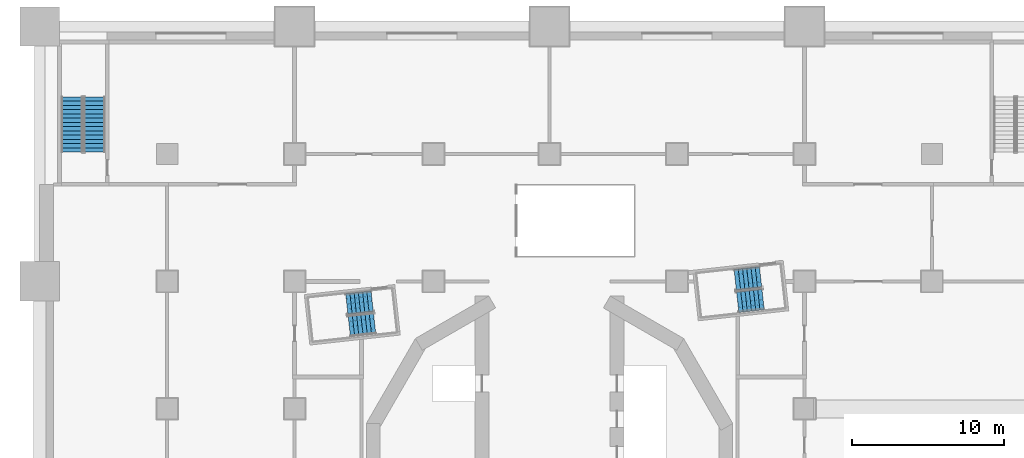
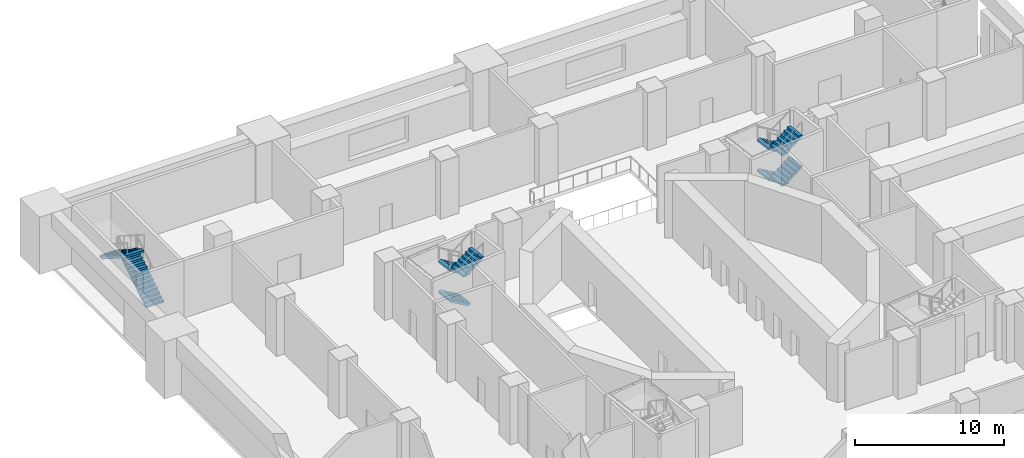
# One storey, part 7 of 17: 9 stair flights, 3 elements without a shape of their own.
"""IFC4 building model written with IfcOpenShell, lengths in metres."""

from ifc_helpers import new_model, si_unit, direction, frame, origin, place, context, subcontext, project, spatial, polyline, outline, extrude, material, type_object, element, aggregate, save


model = new_model("IFC4")

# Units and contexts
model_context = context("Model", 3, precision=1e-05, world=origin(), true_north=direction((0.0, 1.0)))
body_context = subcontext(model_context, "Body", "Model", "MODEL_VIEW")
ifc_project = project(units=[si_unit("LENGTHUNIT", "METRE"), si_unit("AREAUNIT", "SQUARE_METRE"), si_unit("VOLUMEUNIT", "CUBIC_METRE"), si_unit("PLANEANGLEUNIT", "RADIAN"), si_unit("MASSUNIT", "GRAM", prefix="KILO")], contexts=[model_context])

# Site, building, storey
site_placement = place(None, origin())
site = spatial("IfcSite", under=ifc_project, at=site_placement, CompositionType="ELEMENT")
building_placement = place(site_placement, origin())
building = spatial("IfcBuilding", under=site, at=building_placement, Name="Cantera Rosa Tower", CompositionType="ELEMENT")
storey_placement = place(building_placement, frame((0.0, 0.0, 22.0)))
storey = spatial("IfcBuildingStorey", under=building, at=storey_placement, Name="L03", CompositionType="ELEMENT", Elevation=22.0)

# Stair, stair flights
ifc_material_1 = material(Name="Concrete C35/45", Category="concrete")
stair_type_1 = type_object("IfcStairType", Name="EXIT STAIR 1350 DOGLEG", PredefinedType="HALF_TURN_STAIR", material=ifc_material_1)
stair_1_placement = place(storey_placement, origin())
stair_1 = element("IfcStair", 1, at=stair_1_placement, inside=storey, type_object=stair_type_1, Name="L03 ST-11", PredefinedType="HALF_TURN_STAIR")
ifc_material_2 = material(Name="Concrete C35/45", Category="concrete")
stair_flight_type_1 = type_object("IfcStairFlightType", Name="STAIR FLIGHT 1350 R28x179", PredefinedType="STRAIGHT", material=ifc_material_2)
stair_flight_1_placement = place(storey_placement, frame((13.90869140625, 12.89990234375, 0.0), z_axis=(0.0, 0.0, 1.0), x_axis=(-0.993896947056, -0.110312549749, 0.0)))
stair_flight_1 = element("IfcStairFlight", 2, at=stair_flight_1_placement, type_object=stair_flight_type_1, Name="ST-11 flight 1", NumberOfRisers=7, NumberOfTreads=6, PredefinedType="STRAIGHT", RiserHeight=0.178571429, TreadLength=0.28, context=body_context, shape_type="SweptSolid", body=[
    extrude(outline(polyline([(0.0, 0.0), (0.0, 0.178466796875), (0.280029296875, 0.178466796875), (0.280029296875, 0.357177734375), (0.56005859375, 0.357177734375), (0.56005859375, 0.53564453125), (0.840087890625, 0.53564453125), (0.840087890625, 0.71435546875), (1.1201171875, 0.71435546875), (1.1201171875, 0.892822265625), (1.39990234375, 0.892822265625), (1.39990234375, 1.071533203125), (1.679931640625, 1.071533203125), (1.679931640625, 1.25), (1.679931640625, 0.8935546875), (0.27880859375, 0.0), (0.0, 0.0)])), frame((0.0, 0.675048828125, 0.0), z_axis=(0.0, -1.0, 0.0), x_axis=(1.0, 0.0, 0.0)), (0.0, 0.0, 1.0), 0.3359375),
    extrude(outline(polyline([(0.0, 0.0), (0.0, 0.178466796875), (0.280029296875, 0.178466796875), (0.280029296875, 0.357177734375), (0.56005859375, 0.357177734375), (0.56005859375, 0.53564453125), (0.840087890625, 0.53564453125), (0.840087890625, 0.71435546875), (1.1201171875, 0.71435546875), (1.1201171875, 0.892822265625), (1.39990234375, 0.892822265625), (1.39990234375, 1.071533203125), (1.679931640625, 1.071533203125), (1.679931640625, 1.25), (1.679931640625, 0.8935546875), (0.27880859375, 0.0), (0.0, 0.0)])), frame((0.0, 0.337158203125, 0.0), z_axis=(0.0, -1.0, 0.0), x_axis=(1.0, 0.0, 0.0)), (0.0, 0.0, 1.0), 0.3359375),
    extrude(outline(polyline([(0.0, 0.0), (0.0, 0.178466796875), (0.280029296875, 0.178466796875), (0.280029296875, 0.357177734375), (0.56005859375, 0.357177734375), (0.56005859375, 0.53564453125), (0.840087890625, 0.53564453125), (0.840087890625, 0.71435546875), (1.1201171875, 0.71435546875), (1.1201171875, 0.892822265625), (1.39990234375, 0.892822265625), (1.39990234375, 1.071533203125), (1.679931640625, 1.071533203125), (1.679931640625, 1.25), (1.679931640625, 0.8935546875), (0.27880859375, 0.0), (0.0, 0.0)])), frame((0.0, -0.000732421875, 0.0), z_axis=(0.0, -1.0, 0.0), x_axis=(1.0, 0.0, 0.0)), (0.0, 0.0, 1.0), 0.3359375),
    extrude(outline(polyline([(0.0, 0.0), (0.0, 0.178466796875), (0.280029296875, 0.178466796875), (0.280029296875, 0.357177734375), (0.56005859375, 0.357177734375), (0.56005859375, 0.53564453125), (0.840087890625, 0.53564453125), (0.840087890625, 0.71435546875), (1.1201171875, 0.71435546875), (1.1201171875, 0.892822265625), (1.39990234375, 0.892822265625), (1.39990234375, 1.071533203125), (1.679931640625, 1.071533203125), (1.679931640625, 1.25), (1.679931640625, 0.8935546875), (0.27880859375, 0.0), (0.0, 0.0)])), frame((0.0, -0.338623046875, 0.0), z_axis=(0.0, -1.0, 0.0), x_axis=(1.0, 0.0, 0.0)), (0.0, 0.0, 1.0), 0.3359375),
])
stair_flight_2_placement = place(storey_placement, frame((12.404541015625, 11.2236328125, 1.25), z_axis=(0.0, 0.0, 1.0), x_axis=(0.993896947056, 0.110312549749, 0.0)))
stair_flight_2 = element("IfcStairFlight", 3, at=stair_flight_2_placement, type_object=stair_flight_type_1, Name="ST-11 flight 2", NumberOfRisers=7, NumberOfTreads=6, PredefinedType="STRAIGHT", RiserHeight=0.178571429, TreadLength=0.28, context=body_context, shape_type="SweptSolid", body=[
    extrude(outline(polyline([(0.0, 0.0), (0.0, 0.178466796875), (0.280029296875, 0.178466796875), (0.280029296875, 0.357177734375), (0.56005859375, 0.357177734375), (0.56005859375, 0.53564453125), (0.840087890625, 0.53564453125), (0.840087890625, 0.71435546875), (1.1201171875, 0.71435546875), (1.1201171875, 0.892822265625), (1.39990234375, 0.892822265625), (1.39990234375, 1.071533203125), (1.679931640625, 1.071533203125), (1.679931640625, 1.25), (1.679931640625, 0.8935546875), (0.27880859375, 0.0), (0.0, 0.0)])), frame((0.0, 0.675048828125, 0.0), z_axis=(0.0, -1.0, 0.0), x_axis=(1.0, 0.0, 0.0)), (0.0, 0.0, 1.0), 0.3359375),
    extrude(outline(polyline([(0.0, 0.0), (0.0, 0.178466796875), (0.280029296875, 0.178466796875), (0.280029296875, 0.357177734375), (0.56005859375, 0.357177734375), (0.56005859375, 0.53564453125), (0.840087890625, 0.53564453125), (0.840087890625, 0.71435546875), (1.1201171875, 0.71435546875), (1.1201171875, 0.892822265625), (1.39990234375, 0.892822265625), (1.39990234375, 1.071533203125), (1.679931640625, 1.071533203125), (1.679931640625, 1.25), (1.679931640625, 0.8935546875), (0.27880859375, 0.0), (0.0, 0.0)])), frame((0.0, 0.337158203125, 0.0), z_axis=(0.0, -1.0, 0.0), x_axis=(1.0, 0.0, 0.0)), (0.0, 0.0, 1.0), 0.3359375),
    extrude(outline(polyline([(0.0, 0.0), (0.0, 0.178466796875), (0.280029296875, 0.178466796875), (0.280029296875, 0.357177734375), (0.56005859375, 0.357177734375), (0.56005859375, 0.53564453125), (0.840087890625, 0.53564453125), (0.840087890625, 0.71435546875), (1.1201171875, 0.71435546875), (1.1201171875, 0.892822265625), (1.39990234375, 0.892822265625), (1.39990234375, 1.071533203125), (1.679931640625, 1.071533203125), (1.679931640625, 1.25), (1.679931640625, 0.8935546875), (0.27880859375, 0.0), (0.0, 0.0)])), frame((0.0, -0.000732421875, 0.0), z_axis=(0.0, -1.0, 0.0), x_axis=(1.0, 0.0, 0.0)), (0.0, 0.0, 1.0), 0.3359375),
    extrude(outline(polyline([(0.0, 0.0), (0.0, 0.178466796875), (0.280029296875, 0.178466796875), (0.280029296875, 0.357177734375), (0.56005859375, 0.357177734375), (0.56005859375, 0.53564453125), (0.840087890625, 0.53564453125), (0.840087890625, 0.71435546875), (1.1201171875, 0.71435546875), (1.1201171875, 0.892822265625), (1.39990234375, 0.892822265625), (1.39990234375, 1.071533203125), (1.679931640625, 1.071533203125), (1.679931640625, 1.25), (1.679931640625, 0.8935546875), (0.27880859375, 0.0), (0.0, 0.0)])), frame((0.0, -0.338623046875, 0.0), z_axis=(0.0, -1.0, 0.0), x_axis=(1.0, 0.0, 0.0)), (0.0, 0.0, 1.0), 0.3359375),
])
stair_flight_3_placement = place(storey_placement, frame((13.90869140625, 12.89990234375, 2.5), z_axis=(0.0, 0.0, 1.0), x_axis=(-0.993896947056, -0.110312549749, 0.0)))
stair_flight_3 = element("IfcStairFlight", 4, at=stair_flight_3_placement, type_object=stair_flight_type_1, Name="ST-11 flight 3", NumberOfRisers=7, NumberOfTreads=6, PredefinedType="STRAIGHT", RiserHeight=0.178571429, TreadLength=0.28, context=body_context, shape_type="SweptSolid", body=[
    extrude(outline(polyline([(0.0, 0.0), (0.0, 0.178466796875), (0.280029296875, 0.178466796875), (0.280029296875, 0.357177734375), (0.56005859375, 0.357177734375), (0.56005859375, 0.53564453125), (0.840087890625, 0.53564453125), (0.840087890625, 0.71435546875), (1.1201171875, 0.71435546875), (1.1201171875, 0.892822265625), (1.39990234375, 0.892822265625), (1.39990234375, 1.071533203125), (1.679931640625, 1.071533203125), (1.679931640625, 1.25), (1.679931640625, 0.8935546875), (0.27880859375, 0.0), (0.0, 0.0)])), frame((0.0, 0.675048828125, 0.0), z_axis=(0.0, -1.0, 0.0), x_axis=(1.0, 0.0, 0.0)), (0.0, 0.0, 1.0), 0.3359375),
    extrude(outline(polyline([(0.0, 0.0), (0.0, 0.178466796875), (0.280029296875, 0.178466796875), (0.280029296875, 0.357177734375), (0.56005859375, 0.357177734375), (0.56005859375, 0.53564453125), (0.840087890625, 0.53564453125), (0.840087890625, 0.71435546875), (1.1201171875, 0.71435546875), (1.1201171875, 0.892822265625), (1.39990234375, 0.892822265625), (1.39990234375, 1.071533203125), (1.679931640625, 1.071533203125), (1.679931640625, 1.25), (1.679931640625, 0.8935546875), (0.27880859375, 0.0), (0.0, 0.0)])), frame((0.0, 0.337158203125, 0.0), z_axis=(0.0, -1.0, 0.0), x_axis=(1.0, 0.0, 0.0)), (0.0, 0.0, 1.0), 0.3359375),
    extrude(outline(polyline([(0.0, 0.0), (0.0, 0.178466796875), (0.280029296875, 0.178466796875), (0.280029296875, 0.357177734375), (0.56005859375, 0.357177734375), (0.56005859375, 0.53564453125), (0.840087890625, 0.53564453125), (0.840087890625, 0.71435546875), (1.1201171875, 0.71435546875), (1.1201171875, 0.892822265625), (1.39990234375, 0.892822265625), (1.39990234375, 1.071533203125), (1.679931640625, 1.071533203125), (1.679931640625, 1.25), (1.679931640625, 0.8935546875), (0.27880859375, 0.0), (0.0, 0.0)])), frame((0.0, -0.000732421875, 0.0), z_axis=(0.0, -1.0, 0.0), x_axis=(1.0, 0.0, 0.0)), (0.0, 0.0, 1.0), 0.3359375),
    extrude(outline(polyline([(0.0, 0.0), (0.0, 0.178466796875), (0.280029296875, 0.178466796875), (0.280029296875, 0.357177734375), (0.56005859375, 0.357177734375), (0.56005859375, 0.53564453125), (0.840087890625, 0.53564453125), (0.840087890625, 0.71435546875), (1.1201171875, 0.71435546875), (1.1201171875, 0.892822265625), (1.39990234375, 0.892822265625), (1.39990234375, 1.071533203125), (1.679931640625, 1.071533203125), (1.679931640625, 1.25), (1.679931640625, 0.8935546875), (0.27880859375, 0.0), (0.0, 0.0)])), frame((0.0, -0.338623046875, 0.0), z_axis=(0.0, -1.0, 0.0), x_axis=(1.0, 0.0, 0.0)), (0.0, 0.0, 1.0), 0.3359375),
])
stair_flight_4_placement = place(storey_placement, frame((12.404541015625, 11.2236328125, 3.75), z_axis=(0.0, 0.0, 1.0), x_axis=(0.993896947056, 0.110312549749, 0.0)))
stair_flight_4 = element("IfcStairFlight", 5, at=stair_flight_4_placement, type_object=stair_flight_type_1, Name="ST-11 flight 4", NumberOfRisers=7, NumberOfTreads=6, PredefinedType="STRAIGHT", RiserHeight=0.178571429, TreadLength=0.28, context=body_context, shape_type="SweptSolid", body=[
    extrude(outline(polyline([(0.0, 0.0), (0.0, 0.178466796875), (0.280029296875, 0.178466796875), (0.280029296875, 0.357177734375), (0.56005859375, 0.357177734375), (0.56005859375, 0.53564453125), (0.840087890625, 0.53564453125), (0.840087890625, 0.71435546875), (1.1201171875, 0.71435546875), (1.1201171875, 0.892822265625), (1.39990234375, 0.892822265625), (1.39990234375, 1.071533203125), (1.679931640625, 1.071533203125), (1.679931640625, 1.25), (1.679931640625, 0.8935546875), (0.27880859375, 0.0), (0.0, 0.0)])), frame((0.0, 0.675048828125, 0.0), z_axis=(0.0, -1.0, 0.0), x_axis=(1.0, 0.0, 0.0)), (0.0, 0.0, 1.0), 0.3359375),
    extrude(outline(polyline([(0.0, 0.0), (0.0, 0.178466796875), (0.280029296875, 0.178466796875), (0.280029296875, 0.357177734375), (0.56005859375, 0.357177734375), (0.56005859375, 0.53564453125), (0.840087890625, 0.53564453125), (0.840087890625, 0.71435546875), (1.1201171875, 0.71435546875), (1.1201171875, 0.892822265625), (1.39990234375, 0.892822265625), (1.39990234375, 1.071533203125), (1.679931640625, 1.071533203125), (1.679931640625, 1.25), (1.679931640625, 0.8935546875), (0.27880859375, 0.0), (0.0, 0.0)])), frame((0.0, 0.337158203125, 0.0), z_axis=(0.0, -1.0, 0.0), x_axis=(1.0, 0.0, 0.0)), (0.0, 0.0, 1.0), 0.3359375),
    extrude(outline(polyline([(0.0, 0.0), (0.0, 0.178466796875), (0.280029296875, 0.178466796875), (0.280029296875, 0.357177734375), (0.56005859375, 0.357177734375), (0.56005859375, 0.53564453125), (0.840087890625, 0.53564453125), (0.840087890625, 0.71435546875), (1.1201171875, 0.71435546875), (1.1201171875, 0.892822265625), (1.39990234375, 0.892822265625), (1.39990234375, 1.071533203125), (1.679931640625, 1.071533203125), (1.679931640625, 1.25), (1.679931640625, 0.8935546875), (0.27880859375, 0.0), (0.0, 0.0)])), frame((0.0, -0.000732421875, 0.0), z_axis=(0.0, -1.0, 0.0), x_axis=(1.0, 0.0, 0.0)), (0.0, 0.0, 1.0), 0.3359375),
    extrude(outline(polyline([(0.0, 0.0), (0.0, 0.178466796875), (0.280029296875, 0.178466796875), (0.280029296875, 0.357177734375), (0.56005859375, 0.357177734375), (0.56005859375, 0.53564453125), (0.840087890625, 0.53564453125), (0.840087890625, 0.71435546875), (1.1201171875, 0.71435546875), (1.1201171875, 0.892822265625), (1.39990234375, 0.892822265625), (1.39990234375, 1.071533203125), (1.679931640625, 1.071533203125), (1.679931640625, 1.25), (1.679931640625, 0.8935546875), (0.27880859375, 0.0), (0.0, 0.0)])), frame((0.0, -0.338623046875, 0.0), z_axis=(0.0, -1.0, 0.0), x_axis=(1.0, 0.0, 0.0)), (0.0, 0.0, 1.0), 0.3359375),
])
aggregate(stair_1, [stair_flight_1, stair_flight_2, stair_flight_3, stair_flight_4])

stair_2_placement = place(storey_placement, origin())
stair_2 = element("IfcStair", 6, at=stair_2_placement, inside=storey, type_object=stair_type_1, Name="L03 ST-12", PredefinedType="HALF_TURN_STAIR")
stair_flight_5_placement = place(storey_placement, frame((-11.691162109375, 11.2998046875, 0.0), z_axis=(0.0, 0.0, 1.0), x_axis=(-0.993896947056, -0.110312549749, 0.0)))
stair_flight_5 = element("IfcStairFlight", 7, at=stair_flight_5_placement, type_object=stair_flight_type_1, Name="ST-12 flight 1", NumberOfRisers=7, NumberOfTreads=6, PredefinedType="STRAIGHT", RiserHeight=0.178571429, TreadLength=0.28, context=body_context, shape_type="SweptSolid", body=[
    extrude(outline(polyline([(0.0, 0.0), (0.0, 0.178466796875), (0.280029296875, 0.178466796875), (0.280029296875, 0.357177734375), (0.56005859375, 0.357177734375), (0.56005859375, 0.53564453125), (0.840087890625, 0.53564453125), (0.840087890625, 0.71435546875), (1.1201171875, 0.71435546875), (1.1201171875, 0.892822265625), (1.39990234375, 0.892822265625), (1.39990234375, 1.071533203125), (1.679931640625, 1.071533203125), (1.679931640625, 1.25), (1.679931640625, 0.8935546875), (0.27880859375, 0.0), (0.0, 0.0)])), frame((0.0, 0.675048828125, 0.0), z_axis=(0.0, -1.0, 0.0), x_axis=(1.0, 0.0, 0.0)), (0.0, 0.0, 1.0), 0.3359375),
    extrude(outline(polyline([(0.0, 0.0), (0.0, 0.178466796875), (0.280029296875, 0.178466796875), (0.280029296875, 0.357177734375), (0.56005859375, 0.357177734375), (0.56005859375, 0.53564453125), (0.840087890625, 0.53564453125), (0.840087890625, 0.71435546875), (1.1201171875, 0.71435546875), (1.1201171875, 0.892822265625), (1.39990234375, 0.892822265625), (1.39990234375, 1.071533203125), (1.679931640625, 1.071533203125), (1.679931640625, 1.25), (1.679931640625, 0.8935546875), (0.27880859375, 0.0), (0.0, 0.0)])), frame((0.0, 0.337158203125, 0.0), z_axis=(0.0, -1.0, 0.0), x_axis=(1.0, 0.0, 0.0)), (0.0, 0.0, 1.0), 0.3359375),
    extrude(outline(polyline([(0.0, 0.0), (0.0, 0.178466796875), (0.280029296875, 0.178466796875), (0.280029296875, 0.357177734375), (0.56005859375, 0.357177734375), (0.56005859375, 0.53564453125), (0.840087890625, 0.53564453125), (0.840087890625, 0.71435546875), (1.1201171875, 0.71435546875), (1.1201171875, 0.892822265625), (1.39990234375, 0.892822265625), (1.39990234375, 1.071533203125), (1.679931640625, 1.071533203125), (1.679931640625, 1.25), (1.679931640625, 0.8935546875), (0.27880859375, 0.0), (0.0, 0.0)])), frame((0.0, -0.000732421875, 0.0), z_axis=(0.0, -1.0, 0.0), x_axis=(1.0, 0.0, 0.0)), (0.0, 0.0, 1.0), 0.3359375),
    extrude(outline(polyline([(0.0, 0.0), (0.0, 0.178466796875), (0.280029296875, 0.178466796875), (0.280029296875, 0.357177734375), (0.56005859375, 0.357177734375), (0.56005859375, 0.53564453125), (0.840087890625, 0.53564453125), (0.840087890625, 0.71435546875), (1.1201171875, 0.71435546875), (1.1201171875, 0.892822265625), (1.39990234375, 0.892822265625), (1.39990234375, 1.071533203125), (1.679931640625, 1.071533203125), (1.679931640625, 1.25), (1.679931640625, 0.8935546875), (0.27880859375, 0.0), (0.0, 0.0)])), frame((0.0, -0.338623046875, 0.0), z_axis=(0.0, -1.0, 0.0), x_axis=(1.0, 0.0, 0.0)), (0.0, 0.0, 1.0), 0.3359375),
])
stair_flight_6_placement = place(storey_placement, frame((-11.691162109375, 11.2998046875, 2.5), z_axis=(0.0, 0.0, 1.0), x_axis=(-0.993896947056, -0.110312549749, 0.0)))
stair_flight_6 = element("IfcStairFlight", 8, at=stair_flight_6_placement, type_object=stair_flight_type_1, Name="ST-12 flight 3", NumberOfRisers=7, NumberOfTreads=6, PredefinedType="STRAIGHT", RiserHeight=0.178571429, TreadLength=0.28, context=body_context, shape_type="SweptSolid", body=[
    extrude(outline(polyline([(0.0, 0.0), (0.0, 0.178466796875), (0.280029296875, 0.178466796875), (0.280029296875, 0.357177734375), (0.56005859375, 0.357177734375), (0.56005859375, 0.53564453125), (0.840087890625, 0.53564453125), (0.840087890625, 0.71435546875), (1.1201171875, 0.71435546875), (1.1201171875, 0.892822265625), (1.39990234375, 0.892822265625), (1.39990234375, 1.071533203125), (1.679931640625, 1.071533203125), (1.679931640625, 1.25), (1.679931640625, 0.8935546875), (0.27880859375, 0.0), (0.0, 0.0)])), frame((0.0, 0.675048828125, 0.0), z_axis=(0.0, -1.0, 0.0), x_axis=(1.0, 0.0, 0.0)), (0.0, 0.0, 1.0), 0.3359375),
    extrude(outline(polyline([(0.0, 0.0), (0.0, 0.178466796875), (0.280029296875, 0.178466796875), (0.280029296875, 0.357177734375), (0.56005859375, 0.357177734375), (0.56005859375, 0.53564453125), (0.840087890625, 0.53564453125), (0.840087890625, 0.71435546875), (1.1201171875, 0.71435546875), (1.1201171875, 0.892822265625), (1.39990234375, 0.892822265625), (1.39990234375, 1.071533203125), (1.679931640625, 1.071533203125), (1.679931640625, 1.25), (1.679931640625, 0.8935546875), (0.27880859375, 0.0), (0.0, 0.0)])), frame((0.0, 0.337158203125, 0.0), z_axis=(0.0, -1.0, 0.0), x_axis=(1.0, 0.0, 0.0)), (0.0, 0.0, 1.0), 0.3359375),
    extrude(outline(polyline([(0.0, 0.0), (0.0, 0.178466796875), (0.280029296875, 0.178466796875), (0.280029296875, 0.357177734375), (0.56005859375, 0.357177734375), (0.56005859375, 0.53564453125), (0.840087890625, 0.53564453125), (0.840087890625, 0.71435546875), (1.1201171875, 0.71435546875), (1.1201171875, 0.892822265625), (1.39990234375, 0.892822265625), (1.39990234375, 1.071533203125), (1.679931640625, 1.071533203125), (1.679931640625, 1.25), (1.679931640625, 0.8935546875), (0.27880859375, 0.0), (0.0, 0.0)])), frame((0.0, -0.000732421875, 0.0), z_axis=(0.0, -1.0, 0.0), x_axis=(1.0, 0.0, 0.0)), (0.0, 0.0, 1.0), 0.3359375),
    extrude(outline(polyline([(0.0, 0.0), (0.0, 0.178466796875), (0.280029296875, 0.178466796875), (0.280029296875, 0.357177734375), (0.56005859375, 0.357177734375), (0.56005859375, 0.53564453125), (0.840087890625, 0.53564453125), (0.840087890625, 0.71435546875), (1.1201171875, 0.71435546875), (1.1201171875, 0.892822265625), (1.39990234375, 0.892822265625), (1.39990234375, 1.071533203125), (1.679931640625, 1.071533203125), (1.679931640625, 1.25), (1.679931640625, 0.8935546875), (0.27880859375, 0.0), (0.0, 0.0)])), frame((0.0, -0.338623046875, 0.0), z_axis=(0.0, -1.0, 0.0), x_axis=(1.0, 0.0, 0.0)), (0.0, 0.0, 1.0), 0.3359375),
])
stair_flight_7_placement = place(storey_placement, frame((-13.195556640625, 9.623779296875, 3.75), z_axis=(0.0, 0.0, 1.0), x_axis=(0.993896947056, 0.110312549749, 0.0)))
stair_flight_7 = element("IfcStairFlight", 9, at=stair_flight_7_placement, type_object=stair_flight_type_1, Name="ST-12 flight 4", NumberOfRisers=7, NumberOfTreads=6, PredefinedType="STRAIGHT", RiserHeight=0.178571429, TreadLength=0.28, context=body_context, shape_type="SweptSolid", body=[
    extrude(outline(polyline([(0.0, 0.0), (0.0, 0.178466796875), (0.280029296875, 0.178466796875), (0.280029296875, 0.357177734375), (0.56005859375, 0.357177734375), (0.56005859375, 0.53564453125), (0.840087890625, 0.53564453125), (0.840087890625, 0.71435546875), (1.1201171875, 0.71435546875), (1.1201171875, 0.892822265625), (1.39990234375, 0.892822265625), (1.39990234375, 1.071533203125), (1.679931640625, 1.071533203125), (1.679931640625, 1.25), (1.679931640625, 0.8935546875), (0.27880859375, 0.0), (0.0, 0.0)])), frame((0.0, 0.675048828125, 0.0), z_axis=(0.0, -1.0, 0.0), x_axis=(1.0, 0.0, 0.0)), (0.0, 0.0, 1.0), 0.3359375),
    extrude(outline(polyline([(0.0, 0.0), (0.0, 0.178466796875), (0.280029296875, 0.178466796875), (0.280029296875, 0.357177734375), (0.56005859375, 0.357177734375), (0.56005859375, 0.53564453125), (0.840087890625, 0.53564453125), (0.840087890625, 0.71435546875), (1.1201171875, 0.71435546875), (1.1201171875, 0.892822265625), (1.39990234375, 0.892822265625), (1.39990234375, 1.071533203125), (1.679931640625, 1.071533203125), (1.679931640625, 1.25), (1.679931640625, 0.8935546875), (0.27880859375, 0.0), (0.0, 0.0)])), frame((0.0, 0.337158203125, 0.0), z_axis=(0.0, -1.0, 0.0), x_axis=(1.0, 0.0, 0.0)), (0.0, 0.0, 1.0), 0.3359375),
    extrude(outline(polyline([(0.0, 0.0), (0.0, 0.178466796875), (0.280029296875, 0.178466796875), (0.280029296875, 0.357177734375), (0.56005859375, 0.357177734375), (0.56005859375, 0.53564453125), (0.840087890625, 0.53564453125), (0.840087890625, 0.71435546875), (1.1201171875, 0.71435546875), (1.1201171875, 0.892822265625), (1.39990234375, 0.892822265625), (1.39990234375, 1.071533203125), (1.679931640625, 1.071533203125), (1.679931640625, 1.25), (1.679931640625, 0.8935546875), (0.27880859375, 0.0), (0.0, 0.0)])), frame((0.0, -0.000732421875, 0.0), z_axis=(0.0, -1.0, 0.0), x_axis=(1.0, 0.0, 0.0)), (0.0, 0.0, 1.0), 0.3359375),
    extrude(outline(polyline([(0.0, 0.0), (0.0, 0.178466796875), (0.280029296875, 0.178466796875), (0.280029296875, 0.357177734375), (0.56005859375, 0.357177734375), (0.56005859375, 0.53564453125), (0.840087890625, 0.53564453125), (0.840087890625, 0.71435546875), (1.1201171875, 0.71435546875), (1.1201171875, 0.892822265625), (1.39990234375, 0.892822265625), (1.39990234375, 1.071533203125), (1.679931640625, 1.071533203125), (1.679931640625, 1.25), (1.679931640625, 0.8935546875), (0.27880859375, 0.0), (0.0, 0.0)])), frame((0.0, -0.338623046875, 0.0), z_axis=(0.0, -1.0, 0.0), x_axis=(1.0, 0.0, 0.0)), (0.0, 0.0, 1.0), 0.3359375),
])
aggregate(stair_2, [stair_flight_5, stair_flight_6, stair_flight_7])

ifc_material_3 = material(Name="Concrete C35/45", Category="concrete")
stair_type_2 = type_object("IfcStairType", Name="Stair half-turn 1350", PredefinedType="HALF_TURN_STAIR", material=ifc_material_3)
stair_3_placement = place(storey_placement, origin())
stair_3 = element("IfcStair", 10, at=stair_3_placement, inside=storey, type_object=stair_type_2, Name="L03 ST-NW", PredefinedType="HALF_TURN_STAIR")
ifc_material_4 = material(Name="Concrete C35/45", Category="concrete")
stair_flight_type_2 = type_object("IfcStairFlightType", Name="Stair flight 1350", PredefinedType="STRAIGHT", material=ifc_material_4)
stair_flight_8_placement = place(storey_placement, frame((-29.949951171875, 21.125, 0.0), z_axis=(0.0, 0.0, 1.0), x_axis=(0.0, 1.0, 0.0)))
stair_flight_8 = element("IfcStairFlight", 11, at=stair_flight_8_placement, type_object=stair_flight_type_2, Name="ST-NW flight 1", NumberOfRisers=14, NumberOfTreads=13, PredefinedType="STRAIGHT", RiserHeight=0.178571429, TreadLength=0.28, context=body_context, shape_type="SweptSolid", body=[
    extrude(outline(polyline([(0.0, 0.0), (0.0, 0.178466796875), (0.280029296875, 0.178466796875), (0.280029296875, 0.357177734375), (0.56005859375, 0.357177734375), (0.56005859375, 0.53564453125), (0.840087890625, 0.53564453125), (0.840087890625, 0.71435546875), (1.1201171875, 0.71435546875), (1.1201171875, 0.892822265625), (1.39990234375, 0.892822265625), (1.39990234375, 1.071533203125), (1.679931640625, 1.071533203125), (1.679931640625, 1.25), (1.9599609375, 1.25), (1.9599609375, 1.428466796875), (2.239990234375, 1.428466796875), (2.239990234375, 1.607177734375), (2.52001953125, 1.607177734375), (2.52001953125, 1.78564453125), (2.800048828125, 1.78564453125), (2.800048828125, 1.96435546875), (3.080078125, 1.96435546875), (3.080078125, 2.142822265625), (3.360107421875, 2.142822265625), (3.360107421875, 2.321533203125), (3.639892578125, 2.321533203125), (3.639892578125, 2.5), (3.639892578125, 2.1435546875), (0.27880859375, 0.0), (0.0, 0.0)])), frame((0.0, 0.675048828125, 0.0), z_axis=(0.0, -1.0, 0.0), x_axis=(1.0, 0.0, 0.0)), (0.0, 0.0, 1.0), 0.3359375),
    extrude(outline(polyline([(0.0, 0.0), (0.0, 0.178466796875), (0.280029296875, 0.178466796875), (0.280029296875, 0.357177734375), (0.56005859375, 0.357177734375), (0.56005859375, 0.53564453125), (0.840087890625, 0.53564453125), (0.840087890625, 0.71435546875), (1.1201171875, 0.71435546875), (1.1201171875, 0.892822265625), (1.39990234375, 0.892822265625), (1.39990234375, 1.071533203125), (1.679931640625, 1.071533203125), (1.679931640625, 1.25), (1.9599609375, 1.25), (1.9599609375, 1.428466796875), (2.239990234375, 1.428466796875), (2.239990234375, 1.607177734375), (2.52001953125, 1.607177734375), (2.52001953125, 1.78564453125), (2.800048828125, 1.78564453125), (2.800048828125, 1.96435546875), (3.080078125, 1.96435546875), (3.080078125, 2.142822265625), (3.360107421875, 2.142822265625), (3.360107421875, 2.321533203125), (3.639892578125, 2.321533203125), (3.639892578125, 2.5), (3.639892578125, 2.1435546875), (0.27880859375, 0.0), (0.0, 0.0)])), frame((0.0, 0.337158203125, 0.0), z_axis=(0.0, -1.0, 0.0), x_axis=(1.0, 0.0, 0.0)), (0.0, 0.0, 1.0), 0.3359375),
    extrude(outline(polyline([(0.0, 0.0), (0.0, 0.178466796875), (0.280029296875, 0.178466796875), (0.280029296875, 0.357177734375), (0.56005859375, 0.357177734375), (0.56005859375, 0.53564453125), (0.840087890625, 0.53564453125), (0.840087890625, 0.71435546875), (1.1201171875, 0.71435546875), (1.1201171875, 0.892822265625), (1.39990234375, 0.892822265625), (1.39990234375, 1.071533203125), (1.679931640625, 1.071533203125), (1.679931640625, 1.25), (1.9599609375, 1.25), (1.9599609375, 1.428466796875), (2.239990234375, 1.428466796875), (2.239990234375, 1.607177734375), (2.52001953125, 1.607177734375), (2.52001953125, 1.78564453125), (2.800048828125, 1.78564453125), (2.800048828125, 1.96435546875), (3.080078125, 1.96435546875), (3.080078125, 2.142822265625), (3.360107421875, 2.142822265625), (3.360107421875, 2.321533203125), (3.639892578125, 2.321533203125), (3.639892578125, 2.5), (3.639892578125, 2.1435546875), (0.27880859375, 0.0), (0.0, 0.0)])), frame((0.0, -0.000732421875, 0.0), z_axis=(0.0, -1.0, 0.0), x_axis=(1.0, 0.0, 0.0)), (0.0, 0.0, 1.0), 0.3359375),
    extrude(outline(polyline([(0.0, 0.0), (0.0, 0.178466796875), (0.280029296875, 0.178466796875), (0.280029296875, 0.357177734375), (0.56005859375, 0.357177734375), (0.56005859375, 0.53564453125), (0.840087890625, 0.53564453125), (0.840087890625, 0.71435546875), (1.1201171875, 0.71435546875), (1.1201171875, 0.892822265625), (1.39990234375, 0.892822265625), (1.39990234375, 1.071533203125), (1.679931640625, 1.071533203125), (1.679931640625, 1.25), (1.9599609375, 1.25), (1.9599609375, 1.428466796875), (2.239990234375, 1.428466796875), (2.239990234375, 1.607177734375), (2.52001953125, 1.607177734375), (2.52001953125, 1.78564453125), (2.800048828125, 1.78564453125), (2.800048828125, 1.96435546875), (3.080078125, 1.96435546875), (3.080078125, 2.142822265625), (3.360107421875, 2.142822265625), (3.360107421875, 2.321533203125), (3.639892578125, 2.321533203125), (3.639892578125, 2.5), (3.639892578125, 2.1435546875), (0.27880859375, 0.0), (0.0, 0.0)])), frame((0.0, -0.338623046875, 0.0), z_axis=(0.0, -1.0, 0.0), x_axis=(1.0, 0.0, 0.0)), (0.0, 0.0, 1.0), 0.3359375),
])
stair_flight_9_placement = place(storey_placement, frame((-31.5, 24.764892578125, 2.5), z_axis=(0.0, 0.0, 1.0), x_axis=(0.0, -1.0, 0.0)))
stair_flight_9 = element("IfcStairFlight", 12, at=stair_flight_9_placement, type_object=stair_flight_type_2, Name="ST-NW flight 2", NumberOfRisers=14, NumberOfTreads=13, PredefinedType="STRAIGHT", RiserHeight=0.178571429, TreadLength=0.28, context=body_context, shape_type="SweptSolid", body=[
    extrude(outline(polyline([(0.0, 0.0), (0.0, 0.178466796875), (0.280029296875, 0.178466796875), (0.280029296875, 0.357177734375), (0.56005859375, 0.357177734375), (0.56005859375, 0.53564453125), (0.840087890625, 0.53564453125), (0.840087890625, 0.71435546875), (1.1201171875, 0.71435546875), (1.1201171875, 0.892822265625), (1.39990234375, 0.892822265625), (1.39990234375, 1.071533203125), (1.679931640625, 1.071533203125), (1.679931640625, 1.25), (1.9599609375, 1.25), (1.9599609375, 1.428466796875), (2.239990234375, 1.428466796875), (2.239990234375, 1.607177734375), (2.52001953125, 1.607177734375), (2.52001953125, 1.78564453125), (2.800048828125, 1.78564453125), (2.800048828125, 1.96435546875), (3.080078125, 1.96435546875), (3.080078125, 2.142822265625), (3.360107421875, 2.142822265625), (3.360107421875, 2.321533203125), (3.639892578125, 2.321533203125), (3.639892578125, 2.5), (3.639892578125, 2.1435546875), (0.27880859375, 0.0), (0.0, 0.0)])), frame((0.0, 0.675048828125, 0.0), z_axis=(0.0, -1.0, 0.0), x_axis=(1.0, 0.0, 0.0)), (0.0, 0.0, 1.0), 0.3359375),
    extrude(outline(polyline([(0.0, 0.0), (0.0, 0.178466796875), (0.280029296875, 0.178466796875), (0.280029296875, 0.357177734375), (0.56005859375, 0.357177734375), (0.56005859375, 0.53564453125), (0.840087890625, 0.53564453125), (0.840087890625, 0.71435546875), (1.1201171875, 0.71435546875), (1.1201171875, 0.892822265625), (1.39990234375, 0.892822265625), (1.39990234375, 1.071533203125), (1.679931640625, 1.071533203125), (1.679931640625, 1.25), (1.9599609375, 1.25), (1.9599609375, 1.428466796875), (2.239990234375, 1.428466796875), (2.239990234375, 1.607177734375), (2.52001953125, 1.607177734375), (2.52001953125, 1.78564453125), (2.800048828125, 1.78564453125), (2.800048828125, 1.96435546875), (3.080078125, 1.96435546875), (3.080078125, 2.142822265625), (3.360107421875, 2.142822265625), (3.360107421875, 2.321533203125), (3.639892578125, 2.321533203125), (3.639892578125, 2.5), (3.639892578125, 2.1435546875), (0.27880859375, 0.0), (0.0, 0.0)])), frame((0.0, 0.337158203125, 0.0), z_axis=(0.0, -1.0, 0.0), x_axis=(1.0, 0.0, 0.0)), (0.0, 0.0, 1.0), 0.3359375),
    extrude(outline(polyline([(0.0, 0.0), (0.0, 0.178466796875), (0.280029296875, 0.178466796875), (0.280029296875, 0.357177734375), (0.56005859375, 0.357177734375), (0.56005859375, 0.53564453125), (0.840087890625, 0.53564453125), (0.840087890625, 0.71435546875), (1.1201171875, 0.71435546875), (1.1201171875, 0.892822265625), (1.39990234375, 0.892822265625), (1.39990234375, 1.071533203125), (1.679931640625, 1.071533203125), (1.679931640625, 1.25), (1.9599609375, 1.25), (1.9599609375, 1.428466796875), (2.239990234375, 1.428466796875), (2.239990234375, 1.607177734375), (2.52001953125, 1.607177734375), (2.52001953125, 1.78564453125), (2.800048828125, 1.78564453125), (2.800048828125, 1.96435546875), (3.080078125, 1.96435546875), (3.080078125, 2.142822265625), (3.360107421875, 2.142822265625), (3.360107421875, 2.321533203125), (3.639892578125, 2.321533203125), (3.639892578125, 2.5), (3.639892578125, 2.1435546875), (0.27880859375, 0.0), (0.0, 0.0)])), frame((0.0, -0.000732421875, 0.0), z_axis=(0.0, -1.0, 0.0), x_axis=(1.0, 0.0, 0.0)), (0.0, 0.0, 1.0), 0.3359375),
    extrude(outline(polyline([(0.0, 0.0), (0.0, 0.178466796875), (0.280029296875, 0.178466796875), (0.280029296875, 0.357177734375), (0.56005859375, 0.357177734375), (0.56005859375, 0.53564453125), (0.840087890625, 0.53564453125), (0.840087890625, 0.71435546875), (1.1201171875, 0.71435546875), (1.1201171875, 0.892822265625), (1.39990234375, 0.892822265625), (1.39990234375, 1.071533203125), (1.679931640625, 1.071533203125), (1.679931640625, 1.25), (1.9599609375, 1.25), (1.9599609375, 1.428466796875), (2.239990234375, 1.428466796875), (2.239990234375, 1.607177734375), (2.52001953125, 1.607177734375), (2.52001953125, 1.78564453125), (2.800048828125, 1.78564453125), (2.800048828125, 1.96435546875), (3.080078125, 1.96435546875), (3.080078125, 2.142822265625), (3.360107421875, 2.142822265625), (3.360107421875, 2.321533203125), (3.639892578125, 2.321533203125), (3.639892578125, 2.5), (3.639892578125, 2.1435546875), (0.27880859375, 0.0), (0.0, 0.0)])), frame((0.0, -0.338623046875, 0.0), z_axis=(0.0, -1.0, 0.0), x_axis=(1.0, 0.0, 0.0)), (0.0, 0.0, 1.0), 0.3359375),
])
aggregate(stair_3, [stair_flight_8, stair_flight_9])

save(model, "model.ifc")
